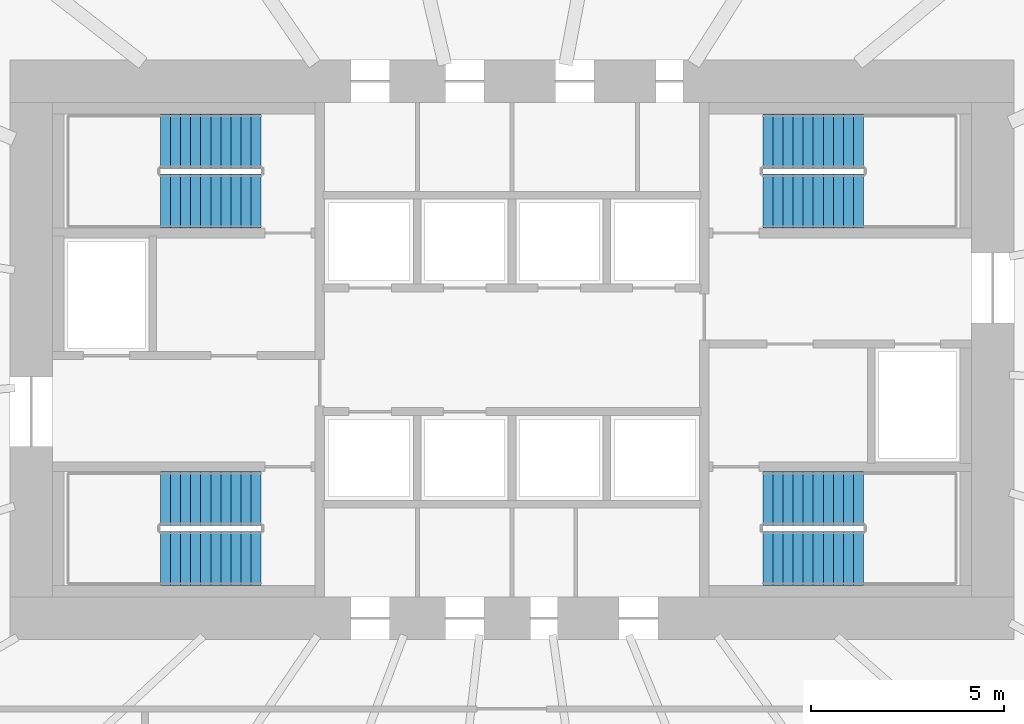
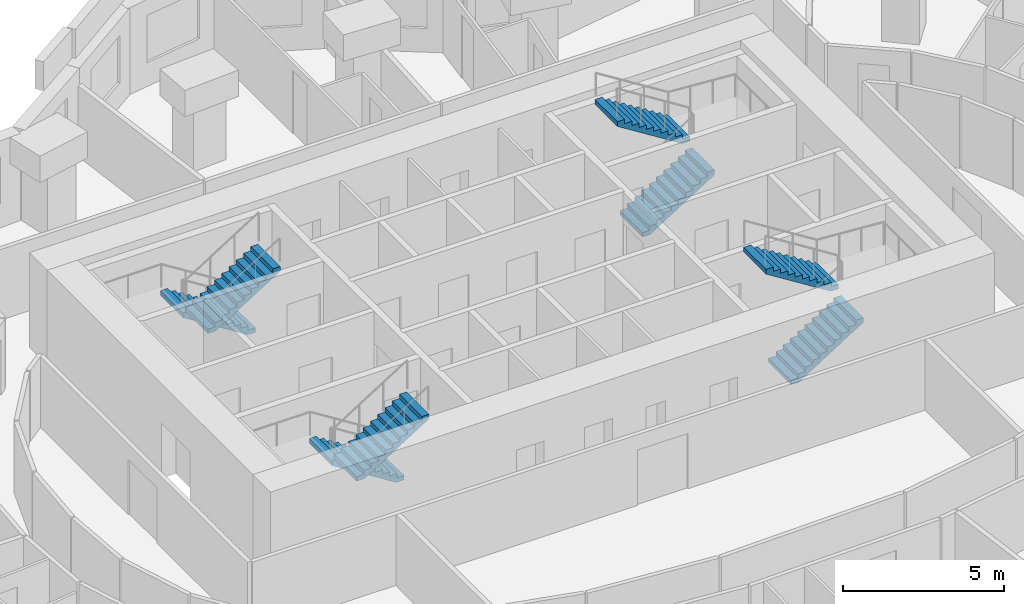
# One storey, part 11 of 12: 8 stair flights, 4 elements without a shape of their own.
"""IFC4 building model written with IfcOpenShell, lengths in metres."""

import ifcopenshell
import ifcopenshell.guid

model = None  # the IFC model being written
_history = None  # IfcOwnerHistory: only IFC2X3 demands one
_inside = {}  # id of a spatial element -> (the spatial element, [elements in it])
_under = {}  # id of a project, library or spatial element -> (it, [spatial elements below it])
_declared = {}  # id of a project -> (the project, [libraries it declares])
_typed = {}  # id of a type object -> (the type object, [elements of that type])
_made_of = {}  # id of a material, layer set ... -> (it, [elements and type objects made of it])


def new_model(schema):
    """Start an empty IFC model of exactly this schema.

    Asked for "IFC4X3", IfcOpenShell would pick the latest addendum, in which some entities
    have other attributes; the version numbers below select the first issue.
    IFC2X3 requires an IfcOwnerHistory on every rooted entity: one is made here for all.
    """
    global model, _history
    if schema == "IFC4X3":
        model = ifcopenshell.file(schema_version=(4, 3, 0, 0))
    else:
        model = ifcopenshell.file(schema=schema)
    _inside.clear()
    _under.clear()
    _declared.clear()
    _typed.clear()
    _made_of.clear()
    _history = None
    if model.schema == "IFC2X3":
        org = make("IfcOrganization", Name="unknown")
        user = make(
            "IfcPersonAndOrganization",
            ThePerson=make("IfcPerson", FamilyName="unknown"),
            TheOrganization=org,
        )
        app = make(
            "IfcApplication",
            ApplicationDeveloper=org,
            Version="unknown",
            ApplicationFullName="unknown",
            ApplicationIdentifier="unknown",
        )
        _history = make(
            "IfcOwnerHistory",
            OwningUser=user,
            OwningApplication=app,
            ChangeAction="ADDED",
            CreationDate=0,
        )
    return model


def make(cls, **values):
    """One entity of the class cls with the attributes given. An attribute that is None is left unset."""
    return model.create_entity(
        cls, **{name: value for name, value in values.items() if value is not None}
    )


def rooted(cls, **values):
    """An entity with a GlobalId (a new one), such as an element, a storey or a relation."""
    return make(cls, GlobalId=ifcopenshell.guid.new(), OwnerHistory=_history, **values)


def si_unit(unit_type, name, prefix=None):
    """IfcSIUnit, for example si_unit("LENGTHUNIT", "METRE", prefix="MILLI")."""
    return make("IfcSIUnit", UnitType=unit_type, Prefix=prefix, Name=name)


def assignment(units):
    """IfcUnitAssignment: the units of a project."""
    return None if units is None else make("IfcUnitAssignment", Units=units)


def point(xyz):
    """IfcCartesianPoint."""
    return None if xyz is None else make("IfcCartesianPoint", Coordinates=xyz)


def direction(xyz):
    """IfcDirection."""
    return None if xyz is None else make("IfcDirection", DirectionRatios=xyz)


def frame(location, z_axis=None, x_axis=None):
    """IfcAxis2Placement3D, a coordinate frame: its origin and axes. An axis left out is left unset."""
    return make(
        "IfcAxis2Placement3D",
        Location=point(location),
        Axis=direction(z_axis),
        RefDirection=direction(x_axis),
    )


def origin():
    """The frame at (0, 0, 0) with its axes left unset."""
    return frame((0.0, 0.0, 0.0))


def place(relative_to, where):
    """IfcLocalPlacement: puts the frame where relative to a parent placement (None: the world)."""
    return make(
        "IfcLocalPlacement", PlacementRelTo=relative_to, RelativePlacement=where
    )


def context(
    kind, dimensions, precision=None, world=None, true_north=None, identifier=None
):
    """IfcGeometricRepresentationContext, for example the 3D "Model" context."""
    return make(
        "IfcGeometricRepresentationContext",
        ContextIdentifier=identifier,
        ContextType=kind,
        CoordinateSpaceDimension=dimensions,
        Precision=precision,
        WorldCoordinateSystem=world,
        TrueNorth=true_north,
    )


def subcontext(parent, identifier, kind, view, scale=None):
    """IfcGeometricRepresentationSubContext, for example "Body" below "Model"."""
    return make(
        "IfcGeometricRepresentationSubContext",
        ContextIdentifier=identifier,
        ContextType=kind,
        ParentContext=parent,
        TargetScale=scale,
        TargetView=view,
    )


def project(units=None, contexts=None):
    """IfcProject with its units and contexts."""
    return rooted(
        "IfcProject",
        Name="project",
        RepresentationContexts=contexts,
        UnitsInContext=assignment(units),
    )


def spatial(cls, under=None, at=None, **own):
    """A site, building, storey or space (cls), placed at a placement, below another one or the project."""
    s = rooted(cls, ObjectPlacement=at, **own)
    if under is not None:
        _under.setdefault(under.id(), (under, []))[1].append(s)
    return s


def polyline(points):
    """IfcPolyline through the points."""
    return make("IfcPolyline", Points=[point(p) for p in points])


def outline(outer, holes=None, kind="AREA"):
    """IfcArbitraryClosedProfileDef: a profile drawn as a closed curve; with holes, ...WithVoids."""
    if holes is None:
        return make("IfcArbitraryClosedProfileDef", ProfileType=kind, OuterCurve=outer)
    return make(
        "IfcArbitraryProfileDefWithVoids",
        ProfileType=kind,
        OuterCurve=outer,
        InnerCurves=holes,
    )


def extrude(swept, where, along, depth):
    """IfcExtrudedAreaSolid: the profile swept, set in the frame where, extruded along a direction by depth."""
    return make(
        "IfcExtrudedAreaSolid",
        SweptArea=swept,
        Position=where,
        ExtrudedDirection=direction(along),
        Depth=depth,
    )


def shape(context_of_items, identifier, shape_type, items):
    """IfcShapeRepresentation: the items that make up one representation, for example the "Body"."""
    return make(
        "IfcShapeRepresentation",
        ContextOfItems=context_of_items,
        RepresentationIdentifier=identifier,
        RepresentationType=shape_type,
        Items=items,
    )


def material(Name=None, Category=None):
    """IfcMaterial."""
    return make("IfcMaterial", Name=Name, Category=Category)


def made_of(thing, what):
    """Note that an element or type object is made of a material, layer set ...; save() writes the relation."""
    if what is not None:
        _made_of.setdefault(what.id(), (what, []))[1].append(thing)
    return thing


def type_object(cls, material=None, **own):
    """A type object (cls), such as IfcWallType, which elements share."""
    return made_of(rooted(cls, **own), material)


def element(
    cls,
    number,
    at=None,
    inside=None,
    cuts=None,
    type_object=None,
    material=None,
    context=None,
    identifier="Body",
    shape_type=None,
    held_by="IfcProductDefinitionShape",
    body=None,
    shapes=None,
    **own,
):
    """One element of the class cls, such as IfcWall. Its Tag is "e" and its number.

    at: its placement. inside: the storey or other place that contains it. cuts: it is an
    opening in that element (IfcRelVoidsElement). A single representation is given by context,
    identifier, shape_type and body (its items); several are given by shapes. held_by: the class
    of the entity that holds the representations. save() writes the other relations.
    """
    e = rooted(cls, Tag="e%d" % number, ObjectPlacement=at, **own)
    if body is not None:
        shapes = [shape(context, identifier, shape_type, body)]
    if shapes is not None:
        e.Representation = make(held_by, Representations=shapes)
    if inside is not None:
        _inside.setdefault(inside.id(), (inside, []))[1].append(e)
    if cuts is not None:
        rooted(
            "IfcRelVoidsElement", RelatingBuildingElement=cuts, RelatedOpeningElement=e
        )
    if type_object is not None:
        _typed.setdefault(type_object.id(), (type_object, []))[1].append(e)
    return made_of(e, material)


def aggregate(whole, parts):
    """IfcRelAggregates: a whole, such as a stair, and the parts it consists of."""
    return rooted("IfcRelAggregates", RelatingObject=whole, RelatedObjects=parts)


def save(model, path):
    """Write the relations noted so far, then the file.

    IfcRelAggregates (storeys below a building ...), IfcRelContainedInSpatialStructure (elements
    in a storey), IfcRelDefinesByType, IfcRelAssociatesMaterial and IfcRelDeclares: one each for
    every whole, place, type object, material and project.
    """
    for whole, parts in _under.values():
        aggregate(whole, parts)
    for where, things in _inside.values():
        rooted(
            "IfcRelContainedInSpatialStructure",
            RelatedElements=things,
            RelatingStructure=where,
        )
    for kind, things in _typed.values():
        rooted("IfcRelDefinesByType", RelatedObjects=things, RelatingType=kind)
    for what, things in _made_of.values():
        rooted("IfcRelAssociatesMaterial", RelatedObjects=things, RelatingMaterial=what)
    for by, libraries in _declared.values():
        rooted("IfcRelDeclares", RelatingContext=by, RelatedDefinitions=libraries)
    model.write(path)


model = new_model("IFC4")

# Units and contexts
model_context = context("Model", 3, precision=1e-05, world=origin(), true_north=direction((0.0, 1.0)))
body_context = subcontext(model_context, "Body", "Model", "MODEL_VIEW")
ifc_project = project(units=[si_unit("LENGTHUNIT", "METRE"), si_unit("AREAUNIT", "SQUARE_METRE"), si_unit("VOLUMEUNIT", "CUBIC_METRE"), si_unit("PLANEANGLEUNIT", "RADIAN"), si_unit("MASSUNIT", "GRAM", prefix="KILO")], contexts=[model_context])

# Site, building, storey
site_placement = place(None, origin())
site = spatial("IfcSite", under=ifc_project, at=site_placement, CompositionType="ELEMENT")
building_placement = place(site_placement, origin())
building = spatial("IfcBuilding", under=site, at=building_placement, Name="Rubra Terraces Tower", CompositionType="ELEMENT")
storey_placement = place(building_placement, frame((0.0, 0.0, 117.60009765625)))
storey = spatial("IfcBuildingStorey", under=building, at=storey_placement, Name="L28", CompositionType="ELEMENT", Elevation=117.60009765625)

# Stair, stair flights
ifc_material = material(Name="Concrete C40", Category="concrete")
stair_type = type_object("IfcStairType", Name="Core stair 1400", PredefinedType="HALF_TURN_STAIR", material=ifc_material)
stair_1_placement = place(storey_placement, origin())
stair_1 = element("IfcStair", 1, at=stair_1_placement, inside=storey, type_object=stair_type, Name="L28 Exit stair S1", PredefinedType="HALF_TURN_STAIR")
stair_flight_type = type_object("IfcStairFlightType", Name="Core stair flight 1400", PredefinedType="STRAIGHT", material=ifc_material)
stair_flight_1_placement = place(storey_placement, frame((-6.5, 0.64990234375, 0.0), z_axis=(0.0, 0.0, 1.0), x_axis=(-1.0, 0.0, 0.0)))
stair_flight_1 = element("IfcStairFlight", 2, at=stair_flight_1_placement, type_object=stair_flight_type, Name="S1 flight 1", NumberOfRisers=11, NumberOfTreads=10, PredefinedType="STRAIGHT", RiserHeight=0.163636364, TreadLength=0.26, context=body_context, shape_type="SweptSolid", body=[
    extrude(outline(polyline([(0.0, 0.0), (0.0, 0.16357421875), (0.260009765625, 0.16357421875), (0.260009765625, 0.327392578125), (0.52001953125, 0.327392578125), (0.52001953125, 0.490966796875), (0.780029296875, 0.490966796875), (0.780029296875, 0.654541015625), (1.0400390625, 0.654541015625), (1.0400390625, 0.818115234375), (1.300048828125, 0.818115234375), (1.300048828125, 0.98193359375), (1.56005859375, 0.98193359375), (1.56005859375, 1.1455078125), (1.820068359375, 1.1455078125), (1.820068359375, 1.30908203125), (2.080078125, 1.30908203125), (2.080078125, 1.47265625), (2.340087890625, 1.47265625), (2.340087890625, 1.636474609375), (2.60009765625, 1.636474609375), (2.60009765625, 1.800048828125), (2.60009765625, 1.459228515625), (0.281494140625, 0.0), (0.0, 0.0)])), frame((0.0, 0.699951171875, 0.0), z_axis=(0.0, -1.0, 0.0), x_axis=(1.0, 0.0, 0.0)), (0.0, 0.0, 1.0), 1.39990234375),
])
stair_flight_2_placement = place(storey_placement, frame((-9.10009765625, -0.89990234375, 1.7998046875), z_axis=(0.0, 0.0, 1.0), x_axis=(1.0, 0.0, 0.0)))
stair_flight_2 = element("IfcStairFlight", 3, at=stair_flight_2_placement, type_object=stair_flight_type, Name="S1 flight 2", NumberOfRisers=11, NumberOfTreads=10, PredefinedType="STRAIGHT", RiserHeight=0.163636364, TreadLength=0.26, context=body_context, shape_type="SweptSolid", body=[
    extrude(outline(polyline([(0.0, 0.0), (0.0, 0.16357421875), (0.260009765625, 0.16357421875), (0.260009765625, 0.327392578125), (0.52001953125, 0.327392578125), (0.52001953125, 0.490966796875), (0.780029296875, 0.490966796875), (0.780029296875, 0.654541015625), (1.0400390625, 0.654541015625), (1.0400390625, 0.818115234375), (1.300048828125, 0.818115234375), (1.300048828125, 0.98193359375), (1.56005859375, 0.98193359375), (1.56005859375, 1.1455078125), (1.820068359375, 1.1455078125), (1.820068359375, 1.30908203125), (2.080078125, 1.30908203125), (2.080078125, 1.47265625), (2.340087890625, 1.47265625), (2.340087890625, 1.636474609375), (2.60009765625, 1.636474609375), (2.60009765625, 1.800048828125), (2.60009765625, 1.459228515625), (0.281494140625, 0.0), (0.0, 0.0)])), frame((0.0, 0.699951171875, 0.0), z_axis=(0.0, -1.0, 0.0), x_axis=(1.0, 0.0, 0.0)), (0.0, 0.0, 1.0), 1.39990234375),
])
aggregate(stair_1, [stair_flight_1, stair_flight_2])

stair_2_placement = place(storey_placement, origin())
stair_2 = element("IfcStair", 4, at=stair_2_placement, inside=storey, type_object=stair_type, Name="L28 Exit stair S2", PredefinedType="HALF_TURN_STAIR")
stair_flight_3_placement = place(storey_placement, frame((-6.5, 9.89990234375, 0.0), z_axis=(0.0, 0.0, 1.0), x_axis=(-1.0, 0.0, 0.0)))
stair_flight_3 = element("IfcStairFlight", 5, at=stair_flight_3_placement, type_object=stair_flight_type, Name="S2 flight 1", NumberOfRisers=11, NumberOfTreads=10, PredefinedType="STRAIGHT", RiserHeight=0.163636364, TreadLength=0.26, context=body_context, shape_type="SweptSolid", body=[
    extrude(outline(polyline([(0.0, 0.0), (0.0, 0.16357421875), (0.260009765625, 0.16357421875), (0.260009765625, 0.327392578125), (0.52001953125, 0.327392578125), (0.52001953125, 0.490966796875), (0.780029296875, 0.490966796875), (0.780029296875, 0.654541015625), (1.0400390625, 0.654541015625), (1.0400390625, 0.818115234375), (1.300048828125, 0.818115234375), (1.300048828125, 0.98193359375), (1.56005859375, 0.98193359375), (1.56005859375, 1.1455078125), (1.820068359375, 1.1455078125), (1.820068359375, 1.30908203125), (2.080078125, 1.30908203125), (2.080078125, 1.47265625), (2.340087890625, 1.47265625), (2.340087890625, 1.636474609375), (2.60009765625, 1.636474609375), (2.60009765625, 1.800048828125), (2.60009765625, 1.459228515625), (0.281494140625, 0.0), (0.0, 0.0)])), frame((0.0, 0.699951171875, 0.0), z_axis=(0.0, -1.0, 0.0), x_axis=(1.0, 0.0, 0.0)), (0.0, 0.0, 1.0), 1.39990234375),
])
stair_flight_4_placement = place(storey_placement, frame((-9.10009765625, 8.35009765625, 1.7998046875), z_axis=(0.0, 0.0, 1.0), x_axis=(1.0, 0.0, 0.0)))
stair_flight_4 = element("IfcStairFlight", 6, at=stair_flight_4_placement, type_object=stair_flight_type, Name="S2 flight 2", NumberOfRisers=11, NumberOfTreads=10, PredefinedType="STRAIGHT", RiserHeight=0.163636364, TreadLength=0.26, context=body_context, shape_type="SweptSolid", body=[
    extrude(outline(polyline([(0.0, 0.0), (0.0, 0.16357421875), (0.260009765625, 0.16357421875), (0.260009765625, 0.327392578125), (0.52001953125, 0.327392578125), (0.52001953125, 0.490966796875), (0.780029296875, 0.490966796875), (0.780029296875, 0.654541015625), (1.0400390625, 0.654541015625), (1.0400390625, 0.818115234375), (1.300048828125, 0.818115234375), (1.300048828125, 0.98193359375), (1.56005859375, 0.98193359375), (1.56005859375, 1.1455078125), (1.820068359375, 1.1455078125), (1.820068359375, 1.30908203125), (2.080078125, 1.30908203125), (2.080078125, 1.47265625), (2.340087890625, 1.47265625), (2.340087890625, 1.636474609375), (2.60009765625, 1.636474609375), (2.60009765625, 1.800048828125), (2.60009765625, 1.459228515625), (0.281494140625, 0.0), (0.0, 0.0)])), frame((0.0, 0.699951171875, 0.0), z_axis=(0.0, -1.0, 0.0), x_axis=(1.0, 0.0, 0.0)), (0.0, 0.0, 1.0), 1.39990234375),
])
aggregate(stair_2, [stair_flight_3, stair_flight_4])

stair_3_placement = place(storey_placement, origin())
stair_3 = element("IfcStair", 7, at=stair_3_placement, inside=storey, type_object=stair_type, Name="L28 Exit stair S3", PredefinedType="HALF_TURN_STAIR")
stair_flight_5_placement = place(storey_placement, frame((6.5, 8.35009765625, 0.0), z_axis=(0.0, 0.0, 1.0), x_axis=(1.0, 0.0, 0.0)))
stair_flight_5 = element("IfcStairFlight", 8, at=stair_flight_5_placement, type_object=stair_flight_type, Name="S3 flight 1", NumberOfRisers=11, NumberOfTreads=10, PredefinedType="STRAIGHT", RiserHeight=0.163636364, TreadLength=0.26, context=body_context, shape_type="SweptSolid", body=[
    extrude(outline(polyline([(0.0, 0.0), (0.0, 0.16357421875), (0.260009765625, 0.16357421875), (0.260009765625, 0.327392578125), (0.52001953125, 0.327392578125), (0.52001953125, 0.490966796875), (0.780029296875, 0.490966796875), (0.780029296875, 0.654541015625), (1.0400390625, 0.654541015625), (1.0400390625, 0.818115234375), (1.300048828125, 0.818115234375), (1.300048828125, 0.98193359375), (1.56005859375, 0.98193359375), (1.56005859375, 1.1455078125), (1.820068359375, 1.1455078125), (1.820068359375, 1.30908203125), (2.080078125, 1.30908203125), (2.080078125, 1.47265625), (2.340087890625, 1.47265625), (2.340087890625, 1.636474609375), (2.60009765625, 1.636474609375), (2.60009765625, 1.800048828125), (2.60009765625, 1.459228515625), (0.281494140625, 0.0), (0.0, 0.0)])), frame((0.0, 0.699951171875, 0.0), z_axis=(0.0, -1.0, 0.0), x_axis=(1.0, 0.0, 0.0)), (0.0, 0.0, 1.0), 1.39990234375),
])
stair_flight_6_placement = place(storey_placement, frame((9.10009765625, 9.89990234375, 1.7998046875), z_axis=(0.0, 0.0, 1.0), x_axis=(-1.0, 0.0, 0.0)))
stair_flight_6 = element("IfcStairFlight", 9, at=stair_flight_6_placement, type_object=stair_flight_type, Name="S3 flight 2", NumberOfRisers=11, NumberOfTreads=10, PredefinedType="STRAIGHT", RiserHeight=0.163636364, TreadLength=0.26, context=body_context, shape_type="SweptSolid", body=[
    extrude(outline(polyline([(0.0, 0.0), (0.0, 0.16357421875), (0.260009765625, 0.16357421875), (0.260009765625, 0.327392578125), (0.52001953125, 0.327392578125), (0.52001953125, 0.490966796875), (0.780029296875, 0.490966796875), (0.780029296875, 0.654541015625), (1.0400390625, 0.654541015625), (1.0400390625, 0.818115234375), (1.300048828125, 0.818115234375), (1.300048828125, 0.98193359375), (1.56005859375, 0.98193359375), (1.56005859375, 1.1455078125), (1.820068359375, 1.1455078125), (1.820068359375, 1.30908203125), (2.080078125, 1.30908203125), (2.080078125, 1.47265625), (2.340087890625, 1.47265625), (2.340087890625, 1.636474609375), (2.60009765625, 1.636474609375), (2.60009765625, 1.800048828125), (2.60009765625, 1.459228515625), (0.281494140625, 0.0), (0.0, 0.0)])), frame((0.0, 0.699951171875, 0.0), z_axis=(0.0, -1.0, 0.0), x_axis=(1.0, 0.0, 0.0)), (0.0, 0.0, 1.0), 1.39990234375),
])
aggregate(stair_3, [stair_flight_5, stair_flight_6])

stair_4_placement = place(storey_placement, origin())
stair_4 = element("IfcStair", 10, at=stair_4_placement, inside=storey, type_object=stair_type, Name="L28 Exit stair S4", PredefinedType="HALF_TURN_STAIR")
stair_flight_7_placement = place(storey_placement, frame((6.5, -0.89990234375, 0.0), z_axis=(0.0, 0.0, 1.0), x_axis=(1.0, 0.0, 0.0)))
stair_flight_7 = element("IfcStairFlight", 11, at=stair_flight_7_placement, type_object=stair_flight_type, Name="S4 flight 1", NumberOfRisers=11, NumberOfTreads=10, PredefinedType="STRAIGHT", RiserHeight=0.163636364, TreadLength=0.26, context=body_context, shape_type="SweptSolid", body=[
    extrude(outline(polyline([(0.0, 0.0), (0.0, 0.16357421875), (0.260009765625, 0.16357421875), (0.260009765625, 0.327392578125), (0.52001953125, 0.327392578125), (0.52001953125, 0.490966796875), (0.780029296875, 0.490966796875), (0.780029296875, 0.654541015625), (1.0400390625, 0.654541015625), (1.0400390625, 0.818115234375), (1.300048828125, 0.818115234375), (1.300048828125, 0.98193359375), (1.56005859375, 0.98193359375), (1.56005859375, 1.1455078125), (1.820068359375, 1.1455078125), (1.820068359375, 1.30908203125), (2.080078125, 1.30908203125), (2.080078125, 1.47265625), (2.340087890625, 1.47265625), (2.340087890625, 1.636474609375), (2.60009765625, 1.636474609375), (2.60009765625, 1.800048828125), (2.60009765625, 1.459228515625), (0.281494140625, 0.0), (0.0, 0.0)])), frame((0.0, 0.699951171875, 0.0), z_axis=(0.0, -1.0, 0.0), x_axis=(1.0, 0.0, 0.0)), (0.0, 0.0, 1.0), 1.39990234375),
])
stair_flight_8_placement = place(storey_placement, frame((9.10009765625, 0.64990234375, 1.7998046875), z_axis=(0.0, 0.0, 1.0), x_axis=(-1.0, 0.0, 0.0)))
stair_flight_8 = element("IfcStairFlight", 12, at=stair_flight_8_placement, type_object=stair_flight_type, Name="S4 flight 2", NumberOfRisers=11, NumberOfTreads=10, PredefinedType="STRAIGHT", RiserHeight=0.163636364, TreadLength=0.26, context=body_context, shape_type="SweptSolid", body=[
    extrude(outline(polyline([(0.0, 0.0), (0.0, 0.16357421875), (0.260009765625, 0.16357421875), (0.260009765625, 0.327392578125), (0.52001953125, 0.327392578125), (0.52001953125, 0.490966796875), (0.780029296875, 0.490966796875), (0.780029296875, 0.654541015625), (1.0400390625, 0.654541015625), (1.0400390625, 0.818115234375), (1.300048828125, 0.818115234375), (1.300048828125, 0.98193359375), (1.56005859375, 0.98193359375), (1.56005859375, 1.1455078125), (1.820068359375, 1.1455078125), (1.820068359375, 1.30908203125), (2.080078125, 1.30908203125), (2.080078125, 1.47265625), (2.340087890625, 1.47265625), (2.340087890625, 1.636474609375), (2.60009765625, 1.636474609375), (2.60009765625, 1.800048828125), (2.60009765625, 1.459228515625), (0.281494140625, 0.0), (0.0, 0.0)])), frame((0.0, 0.699951171875, 0.0), z_axis=(0.0, -1.0, 0.0), x_axis=(1.0, 0.0, 0.0)), (0.0, 0.0, 1.0), 1.39990234375),
])
aggregate(stair_4, [stair_flight_7, stair_flight_8])

save(model, "model.ifc")
